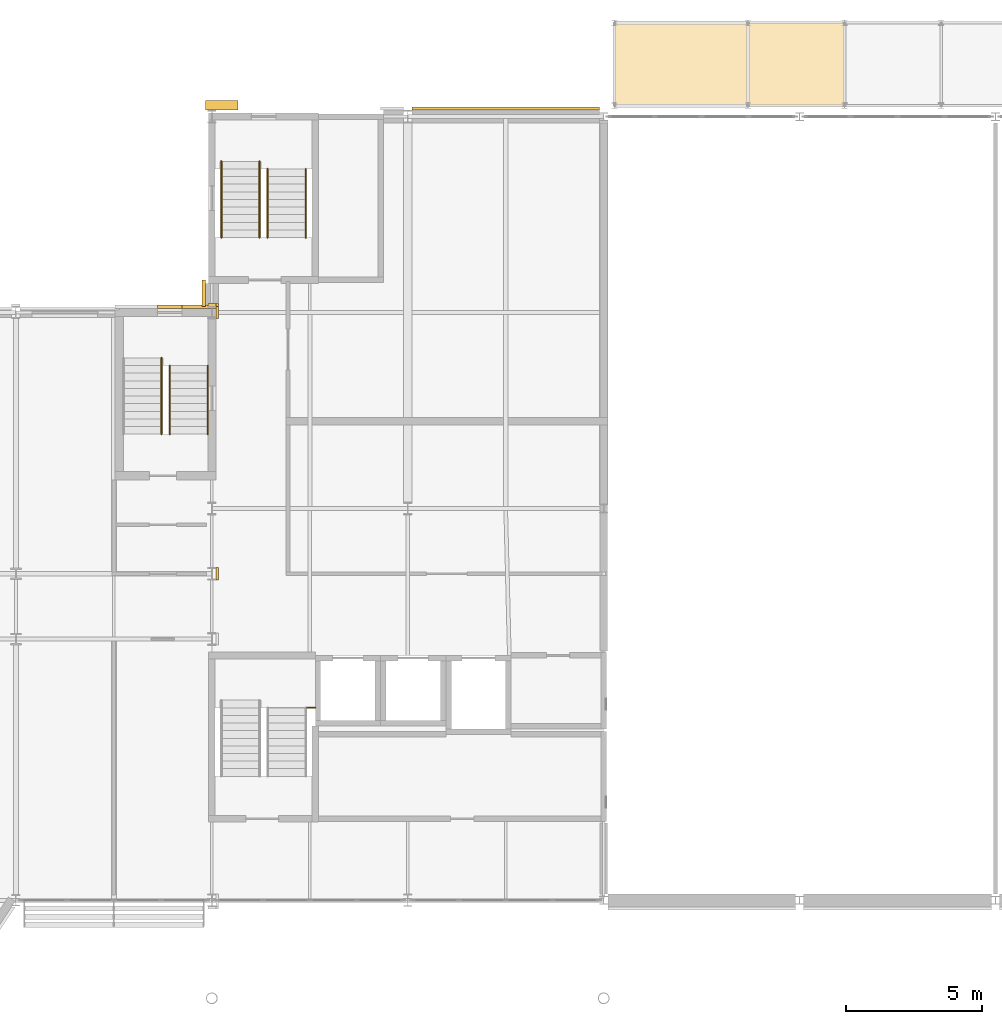
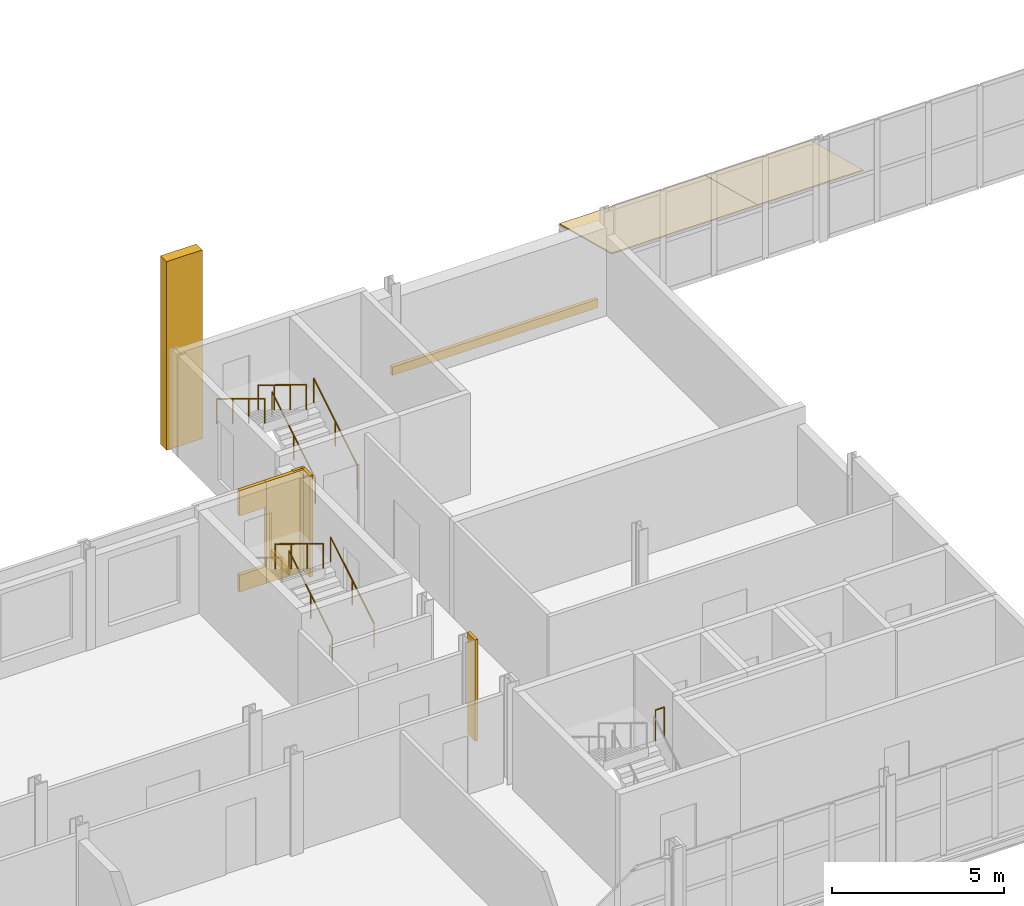
# One storey, part 119 of 124: 12 coverings, 8 railings.
"""IFC4 building model written with IfcOpenShell, lengths in metres."""

from ifc_helpers import new_model, si_unit, direction, frame, origin, origin_2d, place, context, subcontext, project, spatial, polyline, rectangle, circle, outline, extrude, material, layer, layer_set, type_object, element, save


model = new_model("IFC4")

# Units and contexts
model_context = context("Model", 3, precision=1e-05, world=origin(), true_north=direction((0.0, 1.0)))
body_context = subcontext(model_context, "Body", "Model", "MODEL_VIEW")
ifc_project = project(units=[si_unit("LENGTHUNIT", "METRE"), si_unit("AREAUNIT", "SQUARE_METRE"), si_unit("VOLUMEUNIT", "CUBIC_METRE"), si_unit("PLANEANGLEUNIT", "RADIAN"), si_unit("MASSUNIT", "GRAM", prefix="KILO")], contexts=[model_context])

# Site, building, storey
site_placement = place(None, origin())
site = spatial("IfcSite", under=ifc_project, at=site_placement, CompositionType="ELEMENT")
building_placement = place(site_placement, origin())
building = spatial("IfcBuilding", under=site, at=building_placement, Name="Kupolbacken Congress Centre", CompositionType="ELEMENT")
storey_placement = place(building_placement, frame((0.0, 0.0, 10.800048828125)))
storey = spatial("IfcBuildingStorey", under=building, at=storey_placement, Name="L03", CompositionType="ELEMENT", Elevation=10.800048828125)

# Coverings
ifc_material_1 = material(Name="Limestone cladding", Category="masonry")
ifc_layer_1 = layer(ifc_material_1, 0.1201171875)
ifc_layer_set_1 = layer_set([ifc_layer_1], Name="Limestone cladding")
covering_type_1 = type_object("IfcCoveringType", Name="CV1 limestone cladding band 120", PredefinedType="CLADDING", material=ifc_layer_set_1)
covering_1_placement = place(storey_placement, frame((147.60009765625, 151.5, 0.0), z_axis=(0.0, 0.0, 1.0), x_axis=(-1.0, 0.0, 0.0)))
element("IfcCovering", 1, at=covering_1_placement, inside=storey, type_object=covering_type_1, Name="E/BF/N/L03/315/band", PredefinedType="CLADDING", context=body_context, shape_type="SweptSolid", body=[
    extrude(rectangle(XDim=6.89990234375, YDim=0.1201171875, at=origin_2d()), origin(), (0.0, 0.0, 1.0), 0.300048828125),
])
covering_2_placement = place(storey_placement, frame((136.5, 144.71240234375, 0.0), z_axis=(0.0, 0.0, 1.0), x_axis=(0.0, -1.0, 0.0)))
element("IfcCovering", 2, at=covering_2_placement, inside=storey, type_object=covering_type_1, Name="E/BF/W/L03/322/band", PredefinedType="CLADDING", context=body_context, shape_type="SweptSolid", body=[
    extrude(rectangle(XDim=0.97509765625, YDim=0.1201171875, at=origin_2d()), origin(), (0.0, 0.0, 1.0), 0.300048828125),
])
covering_3_placement = place(storey_placement, frame((137.0, 134.39990234375, 0.0), z_axis=(0.0, 0.0, 1.0), x_axis=(1.0, 0.0, 0.0)))
element("IfcCovering", 3, at=covering_3_placement, inside=storey, type_object=covering_type_1, Name="E/T/pilaster/L03/C-T-20U+4800/E", PredefinedType="CLADDING", context=body_context, shape_type="SweptSolid", body=[
    extrude(rectangle(XDim=0.10009765625, YDim=0.449951171875, at=origin_2d()), origin(), (0.0, 0.0, 1.0), 3.60009765625),
])
covering_4_placement = place(storey_placement, frame((137.0, 144.27490234375, 0.0), z_axis=(0.0, 0.0, 1.0), x_axis=(1.0, 0.0, 0.0)))
element("IfcCovering", 4, at=covering_4_placement, inside=storey, type_object=covering_type_1, Name="E/T/pilaster/L03/C-T-20W/corner", PredefinedType="CLADDING", context=body_context, shape_type="SweptSolid", body=[
    extrude(rectangle(XDim=0.10009765625, YDim=0.10009765625, at=origin_2d()), origin(), (0.0, 0.0, 1.0), 3.60009765625),
])
covering_5_placement = place(storey_placement, frame((137.0, 144.0, 0.0), z_axis=(0.0, 0.0, 1.0), x_axis=(1.0, 0.0, 0.0)))
element("IfcCovering", 5, at=covering_5_placement, inside=storey, type_object=covering_type_1, Name="E/T/pilaster/L03/C-T-20W/E", PredefinedType="CLADDING", context=body_context, shape_type="SweptSolid", body=[
    extrude(rectangle(XDim=0.10009765625, YDim=0.449951171875, at=origin_2d()), origin(), (0.0, 0.0, 1.0), 3.60009765625),
])
covering_6_placement = place(storey_placement, frame((136.800048828125, 144.27490234375, 0.0), z_axis=(0.0, 0.0, 1.0), x_axis=(1.0, 0.0, 0.0)))
element("IfcCovering", 6, at=covering_6_placement, inside=storey, type_object=covering_type_1, Name="E/T/pilaster/L03/C-T-20W/N", PredefinedType="CLADDING", context=body_context, shape_type="SweptSolid", body=[
    extrude(rectangle(XDim=0.300048828125, YDim=0.10009765625, at=origin_2d()), origin(), (0.0, 0.0, 1.0), 3.60009765625),
])
covering_7_placement = place(storey_placement, frame((136.324951171875, 144.2099609375, 0.0), z_axis=(0.0, 0.0, 1.0), x_axis=(-1.0, 0.0, 0.0)))
element("IfcCovering", 7, at=covering_7_placement, inside=storey, type_object=covering_type_1, Name="S/core/L03/131/face0", PredefinedType="CLADDING", context=body_context, shape_type="SweptSolid", body=[
    extrude(rectangle(XDim=1.25, YDim=0.1201171875, at=origin_2d()), origin(), (0.0, 0.0, 1.0), 3.60009765625),
])
covering_8_placement = place(storey_placement, frame((135.25, 144.2099609375, 0.0), z_axis=(0.0, 0.0, 1.0), x_axis=(-1.0, 0.0, 0.0)))
element("IfcCovering", 8, at=covering_8_placement, inside=storey, type_object=covering_type_1, Name="S/core/L03/131/face2", PredefinedType="CLADDING", context=body_context, shape_type="SweptSolid", body=[
    extrude(rectangle(XDim=0.89990234375, YDim=0.1201171875, at=origin_2d()), origin(), (0.0, 0.0, 1.0), 0.60009765625),
])
covering_9_placement = place(storey_placement, frame((135.25, 144.2099609375, 2.699951171875), z_axis=(0.0, 0.0, 1.0), x_axis=(-1.0, 0.0, 0.0)))
element("IfcCovering", 9, at=covering_9_placement, inside=storey, type_object=covering_type_1, Name="S/core/L03/131/face3", PredefinedType="CLADDING", context=body_context, shape_type="SweptSolid", body=[
    extrude(rectangle(XDim=0.89990234375, YDim=0.1201171875, at=origin_2d()), origin(), (0.0, 0.0, 1.0), 0.89990234375),
])
ifc_material_2 = material(Name="Limestone cladding", Category="masonry")
ifc_layer_2 = layer(ifc_material_2, 0.35009765625)
ifc_layer_set_2 = layer_set([ifc_layer_2], Name="Limestone cladding")
covering_type_2 = type_object("IfcCoveringType", Name="CV3 limestone pilaster strip 350", PredefinedType="CLADDING", material=ifc_layer_set_2)
covering_10_placement = place(storey_placement, frame((137.159912109375, 151.614990234375, 0.0), z_axis=(0.0, 0.0, 1.0), x_axis=(1.0, 0.0, 0.0)))
element("IfcCovering", 10, at=covering_10_placement, inside=storey, type_object=covering_type_2, Name="F/B/N/pil/00/0", PredefinedType="CLADDING", context=body_context, shape_type="SweptSolid", body=[
    extrude(rectangle(XDim=1.199951171875, YDim=0.35009765625, at=origin_2d()), origin(), (0.0, 0.0, 1.0), 6.699951171875),
])
ifc_material_3 = material(Name="Glass", Category="glass")
ifc_layer_3 = layer(ifc_material_3, 0.0439453125)
ifc_layer_set_3 = layer_set([ifc_layer_3], Name="Glass")
covering_type_3 = type_object("IfcCoveringType", Name="GC1 glazed canopy roof 44", PredefinedType="ROOFING", material=ifc_layer_set_3)
covering_11_placement = place(storey_placement, frame((151.60009765625, 151.60009765625, 1.64404296875), z_axis=(0.0, 0.253742379655, 0.967271836025), x_axis=(1.0, 0.0, 0.0)))
element("IfcCovering", 11, at=covering_11_placement, inside=storey, type_object=covering_type_3, Name="Covered passage glass", PredefinedType="ROOFING", context=body_context, shape_type="SweptSolid", body=[
    extrude(outline(polyline([(0.0, 0.0), (4.89990234375, 0.0), (4.89990234375, 3.152996473084161), (0.0, 3.152996473084161), (0.0, 0.0)])), origin(), (0.0, 0.0, -1.0), 0.0439453125),
])
covering_12_placement = place(storey_placement, frame((156.5, 151.60009765625, 1.64404296875), z_axis=(0.0, 0.253742379655, 0.967271836025), x_axis=(1.0, 0.0, 0.0)))
element("IfcCovering", 12, at=covering_12_placement, inside=storey, type_object=covering_type_3, Name="Covered passage glass", PredefinedType="ROOFING", context=body_context, shape_type="SweptSolid", body=[
    extrude(outline(polyline([(0.0, 0.0), (3.550048828125, 0.0), (3.550048828125, 3.152996473084161), (0.0, 3.152996473084161), (0.0, 0.0)])), origin(), (0.0, 0.0, -1.0), 0.0439453125),
])

# Railings
ifc_material_4 = material(Name="Steel S235", Category="steel")
railing_type_1 = type_object("IfcRailingType", Name="RL1 guard 1100 steel balustrade", PredefinedType="GUARDRAIL", material=ifc_material_4)
railing_1_placement = place(storey_placement, frame((140.300048828125, 129.47509765625, 1.71435546875)))
element("IfcRailing", 13, at=railing_1_placement, inside=storey, type_object=railing_type_1, Name="C/slotguard/BS1/L03/lo", PredefinedType="GUARDRAIL", context=body_context, shape_type="SweptSolid", body=[
    extrude(circle(Radius=0.02392578125, at=origin_2d()), frame((0.0, 0.0, 1.076171875), z_axis=(1.0, 0.0, 0.0), x_axis=(0.0, 1.0, 0.0)), (0.0, 0.0, 1.0), 0.300048828125),
    extrude(circle(Radius=0.02099609375, at=origin_2d()), origin(), (0.0, 0.0, 1.0), 1.052001953125),
    extrude(circle(Radius=0.02099609375, at=origin_2d()), frame((0.300048828125, 0.0, 0.0)), (0.0, 0.0, 1.0), 1.052001953125),
])
ifc_material_5 = material(Name="Steel S235", Category="steel")
railing_type_2 = type_object("IfcRailingType", Name="RL3 handrail wall-mounted 900", PredefinedType="HANDRAIL", material=ifc_material_5)
for number, where, name in (
    (14, (135.25, 139.530029296875, 0.17138671875), "C/stair/TS4/L03/HR1L"),
    (15, (136.64990234375, 139.530029296875, 0.17138671875), "C/stair/TS4/L03/HR1R"),
):
    element("IfcRailing", number, at=place(storey_placement, frame(where)), inside=storey, type_object=railing_type_2, Name=name, PredefinedType="HANDRAIL", context=body_context, shape_type="SweptSolid", body=[
        extrude(circle(Radius=0.02392578125, at=origin_2d()), frame((0.0, 0.0, 0.8759765625), z_axis=(0.0, 0.852836285881, 0.522178388565), x_axis=(-1.0, 0.0, 0.0)), (0.0, 0.0, 1.0), 2.954833984375),
        extrude(circle(Radius=0.02099609375, at=origin_2d()), origin(), (0.0, 0.0, 1.0), 0.851806640625),
        extrude(circle(Radius=0.02099609375, at=origin_2d()), frame((0.0, 1.260009765625, 0.771484375)), (0.0, 0.0, 1.0), 0.851806640625),
        extrude(circle(Radius=0.02099609375, at=origin_2d()), frame((0.0, 2.52001953125, 1.54296875)), (0.0, 0.0, 1.0), 0.851806640625),
    ])
railing_2_placement = place(storey_placement, frame((134.949951171875, 142.330078125, 1.8857421875)))
element("IfcRailing", 16, at=railing_2_placement, inside=storey, type_object=railing_type_2, Name="C/stair/TS4/L03/HR2L", PredefinedType="HANDRAIL", context=body_context, shape_type="SweptSolid", body=[
    extrude(circle(Radius=0.02392578125, at=origin_2d()), frame((0.0, 0.0, 0.8759765625), z_axis=(0.0, -0.852879011914, 0.522108600807), x_axis=(1.0, 0.0, 0.0)), (0.0, 0.0, 1.0), 3.282958984375),
    extrude(circle(Radius=0.02099609375, at=origin_2d()), origin(), (0.0, 0.0, 1.0), 0.851806640625),
    extrude(circle(Radius=0.02099609375, at=origin_2d()), frame((0.0, -0.933349609375, 0.5712890625)), (0.0, 0.0, 1.0), 0.851806640625),
    extrude(circle(Radius=0.02099609375, at=origin_2d()), frame((0.0, -1.86669921875, 1.142822265625)), (0.0, 0.0, 1.0), 0.851806640625),
    extrude(circle(Radius=0.02099609375, at=origin_2d()), frame((0.0, -2.800048828125, 1.714111328125)), (0.0, 0.0, 1.0), 0.851806640625),
])
for number, where, name in (
    (17, (138.85009765625, 146.7548828125, 0.17138671875), "C/stair/BS2/L03/HR1L"),
    (18, (140.25, 146.7548828125, 0.17138671875), "C/stair/BS2/L03/HR1R"),
):
    element("IfcRailing", number, at=place(storey_placement, frame(where)), inside=storey, type_object=railing_type_2, Name=name, PredefinedType="HANDRAIL", context=body_context, shape_type="SweptSolid", body=[
        extrude(circle(Radius=0.02392578125, at=origin_2d()), frame((0.0, 0.0, 0.8759765625), z_axis=(0.0, 0.852836285881, 0.522178388565), x_axis=(-1.0, 0.0, 0.0)), (0.0, 0.0, 1.0), 2.954833984375),
        extrude(circle(Radius=0.02099609375, at=origin_2d()), origin(), (0.0, 0.0, 1.0), 0.851806640625),
        extrude(circle(Radius=0.02099609375, at=origin_2d()), frame((0.0, 1.260009765625, 0.771484375)), (0.0, 0.0, 1.0), 0.851806640625),
        extrude(circle(Radius=0.02099609375, at=origin_2d()), frame((0.0, 2.52001953125, 1.54296875)), (0.0, 0.0, 1.0), 0.851806640625),
    ])
for number, where, name in (
    (19, (138.550048828125, 149.554931640625, 1.8857421875), "C/stair/BS2/L03/HR2L"),
    (20, (137.14990234375, 149.554931640625, 1.8857421875), "C/stair/BS2/L03/HR2R"),
):
    element("IfcRailing", number, at=place(storey_placement, frame(where)), inside=storey, type_object=railing_type_2, Name=name, PredefinedType="HANDRAIL", context=body_context, shape_type="SweptSolid", body=[
        extrude(circle(Radius=0.02392578125, at=origin_2d()), frame((0.0, 0.0, 0.8759765625), z_axis=(0.0, -0.852879011914, 0.522108600807), x_axis=(1.0, 0.0, 0.0)), (0.0, 0.0, 1.0), 3.282958984375),
        extrude(circle(Radius=0.02099609375, at=origin_2d()), origin(), (0.0, 0.0, 1.0), 0.851806640625),
        extrude(circle(Radius=0.02099609375, at=origin_2d()), frame((0.0, -0.933349609375, 0.5712890625)), (0.0, 0.0, 1.0), 0.851806640625),
        extrude(circle(Radius=0.02099609375, at=origin_2d()), frame((0.0, -1.86669921875, 1.142822265625)), (0.0, 0.0, 1.0), 0.851806640625),
        extrude(circle(Radius=0.02099609375, at=origin_2d()), frame((0.0, -2.800048828125, 1.714111328125)), (0.0, 0.0, 1.0), 0.851806640625),
    ])

save(model, "model.ifc")
